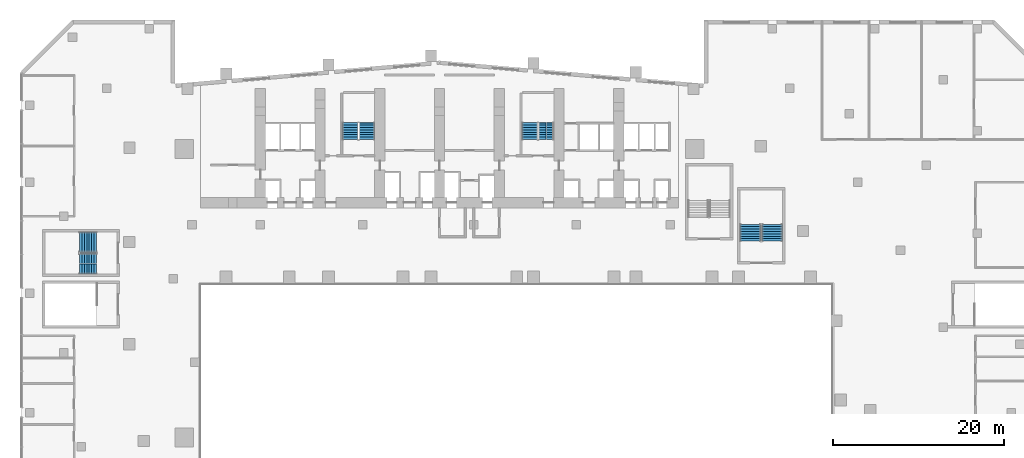
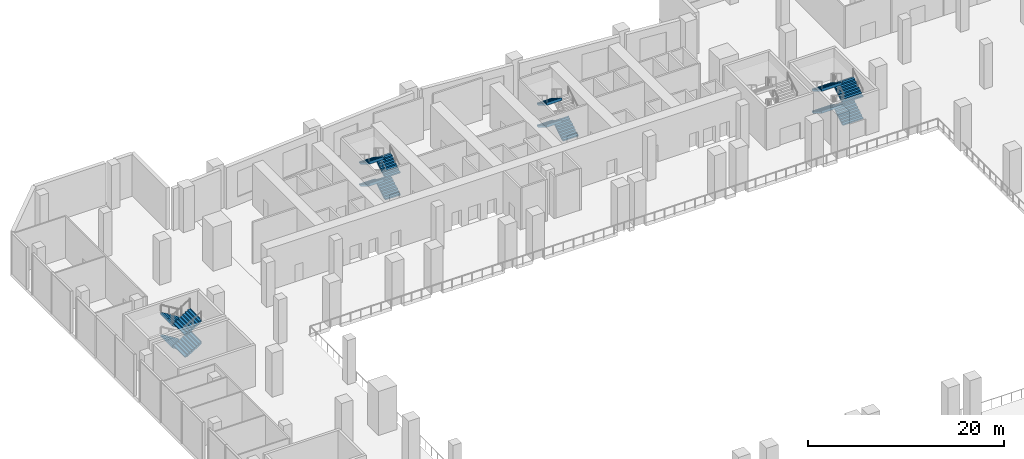
# One storey, part 18 of 25: 15 stair flights, 4 elements without a shape of their own.
"""IFC4 building model written with IfcOpenShell, lengths in metres."""

from ifc_helpers import new_model, si_unit, direction, frame, origin, place, context, subcontext, project, spatial, polyline, outline, extrude, material, type_object, element, aggregate, save


model = new_model("IFC4")

# Units and contexts
model_context = context("Model", 3, precision=1e-05, world=origin(), true_north=direction((0.0, 1.0)))
body_context = subcontext(model_context, "Body", "Model", "MODEL_VIEW")
ifc_project = project(units=[si_unit("LENGTHUNIT", "METRE"), si_unit("AREAUNIT", "SQUARE_METRE"), si_unit("VOLUMEUNIT", "CUBIC_METRE"), si_unit("PLANEANGLEUNIT", "RADIAN"), si_unit("MASSUNIT", "GRAM", prefix="KILO")], contexts=[model_context])

# Site, building, storey
site_placement = place(None, origin())
site = spatial("IfcSite", under=ifc_project, at=site_placement, CompositionType="ELEMENT")
building_placement = place(site_placement, origin())
building = spatial("IfcBuilding", under=site, at=building_placement, Name="Wharfspan Tower", CompositionType="ELEMENT")
storey_placement = place(building_placement, frame((0.0, 0.0, 27.5)))
storey = spatial("IfcBuildingStorey", under=building, at=storey_placement, Name="L04", CompositionType="ELEMENT", Elevation=27.5)

# Stair, stair flights
ifc_material = material(Name="Concrete C40/50", Category="concrete")
stair_type_1 = type_object("IfcStairType", Name="Half-turn stair 2400 wide 32 risers 172 mm", PredefinedType="HALF_TURN_STAIR", material=ifc_material)
stair_1_placement = place(storey_placement, origin())
stair_1 = element("IfcStair", 1, at=stair_1_placement, inside=storey, type_object=stair_type_1, Name="L04 stair PS3", PredefinedType="HALF_TURN_STAIR")
stair_flight_type_1 = type_object("IfcStairFlightType", Name="Stair flight 2400 wide 32 risers 172 mm", PredefinedType="STRAIGHT", material=ifc_material)
stair_flight_1_placement = place(storey_placement, frame((-3.199951, 29.975098, 0.0), z_axis=(0.0, 0.0, 1.0), x_axis=(-1.0, 0.0, 0.0)))
stair_flight_1 = element("IfcStairFlight", 2, at=stair_flight_1_placement, type_object=stair_flight_type_1, Name="PS3 flight 1", NumberOfRisers=8, NumberOfTreads=7, PredefinedType="STRAIGHT", RiserHeight=0.171875, TreadLength=0.28, context=body_context, shape_type="SweptSolid", body=[
    extrude(outline(polyline([(-0.011963, 0.0), (-0.011963, 0.171875), (0.0, 0.171875), (0.280029, 0.171875), (0.280029, 0.34375), (0.560059, 0.34375), (0.560059, 0.515625), (0.840088, 0.515625), (0.840088, 0.6875), (1.120117, 0.6875), (1.120117, 0.859375), (1.399902, 0.859375), (1.399902, 1.03125), (1.679932, 1.03125), (1.679932, 1.203125), (1.959961, 1.203125), (1.971924, 1.375), (1.971924, 1.027344), (0.286621, 0.0), (-0.011963, 0.0)])), frame((0.0, 1.199951, 0.0), z_axis=(0.0, -1.0, 0.0), x_axis=(1.0, 0.0, 0.0)), (0.0, 0.0, 1.0), 1.179443),
    extrude(outline(polyline([(-0.011963, 0.0), (-0.011963, 0.171875), (0.0, 0.171875), (0.280029, 0.171875), (0.280029, 0.34375), (0.560059, 0.34375), (0.560059, 0.515625), (0.840088, 0.515625), (0.840088, 0.6875), (1.120117, 0.6875), (1.120117, 0.859375), (1.399902, 0.859375), (1.399902, 1.03125), (1.679932, 1.03125), (1.679932, 1.203125), (1.959961, 1.203125), (1.971924, 1.375), (1.971924, 1.027344), (0.286621, 0.0), (-0.011963, 0.0)])), frame((0.0, 0.019531, 0.0), z_axis=(0.0, -1.0, 0.0), x_axis=(1.0, 0.0, 0.0)), (0.0, 0.0, 1.0), 0.019043),
    extrude(outline(polyline([(-0.011963, 0.0), (-0.011963, 0.171875), (0.0, 0.171875), (0.280029, 0.171875), (0.280029, 0.34375), (0.560059, 0.34375), (0.560059, 0.515625), (0.840088, 0.515625), (0.840088, 0.6875), (1.120117, 0.6875), (1.120117, 0.859375), (1.399902, 0.859375), (1.399902, 1.03125), (1.679932, 1.03125), (1.679932, 1.203125), (1.959961, 1.203125), (1.971924, 1.375), (1.971924, 1.027344), (0.286621, 0.0), (-0.011963, 0.0)])), frame((0.0, -0.000488, 0.0), z_axis=(0.0, -1.0, 0.0), x_axis=(1.0, 0.0, 0.0)), (0.0, 0.0, 1.0), 0.019043),
    extrude(outline(polyline([(-0.011963, 0.0), (-0.011963, 0.171875), (0.0, 0.171875), (0.280029, 0.171875), (0.280029, 0.34375), (0.560059, 0.34375), (0.560059, 0.515625), (0.840088, 0.515625), (0.840088, 0.6875), (1.120117, 0.6875), (1.120117, 0.859375), (1.399902, 0.859375), (1.399902, 1.03125), (1.679932, 1.03125), (1.679932, 1.203125), (1.959961, 1.203125), (1.971924, 1.375), (1.971924, 1.027344), (0.286621, 0.0), (-0.011963, 0.0)])), frame((0.0, -0.020508, 0.0), z_axis=(0.0, -1.0, 0.0), x_axis=(1.0, 0.0, 0.0)), (0.0, 0.0, 1.0), 1.179443),
])
stair_flight_2_placement = place(storey_placement, frame((-5.159912, 27.425049, 1.375), z_axis=(0.0, 0.0, 1.0), x_axis=(1.0, 0.0, 0.0)))
stair_flight_2 = element("IfcStairFlight", 3, at=stair_flight_2_placement, type_object=stair_flight_type_1, Name="PS3 flight 2", NumberOfRisers=8, NumberOfTreads=7, PredefinedType="STRAIGHT", RiserHeight=0.171875, TreadLength=0.28, context=body_context, shape_type="SweptSolid", body=[
    extrude(outline(polyline([(-0.011963, 0.0), (-0.011963, 0.171875), (0.0, 0.171875), (0.280029, 0.171875), (0.280029, 0.34375), (0.560059, 0.34375), (0.560059, 0.515625), (0.840088, 0.515625), (0.840088, 0.6875), (1.120117, 0.6875), (1.120117, 0.859375), (1.399902, 0.859375), (1.399902, 1.03125), (1.679932, 1.03125), (1.679932, 1.203125), (1.959961, 1.203125), (1.971924, 1.375), (1.971924, 1.027344), (0.286621, 0.0), (-0.011963, 0.0)])), frame((0.0, 1.199951, 0.0), z_axis=(0.0, -1.0, 0.0), x_axis=(1.0, 0.0, 0.0)), (0.0, 0.0, 1.0), 1.179443),
    extrude(outline(polyline([(-0.011963, 0.0), (-0.011963, 0.171875), (0.0, 0.171875), (0.280029, 0.171875), (0.280029, 0.34375), (0.560059, 0.34375), (0.560059, 0.515625), (0.840088, 0.515625), (0.840088, 0.6875), (1.120117, 0.6875), (1.120117, 0.859375), (1.399902, 0.859375), (1.399902, 1.03125), (1.679932, 1.03125), (1.679932, 1.203125), (1.959961, 1.203125), (1.971924, 1.375), (1.971924, 1.027344), (0.286621, 0.0), (-0.011963, 0.0)])), frame((0.0, 0.019531, 0.0), z_axis=(0.0, -1.0, 0.0), x_axis=(1.0, 0.0, 0.0)), (0.0, 0.0, 1.0), 0.019043),
    extrude(outline(polyline([(-0.011963, 0.0), (-0.011963, 0.171875), (0.0, 0.171875), (0.280029, 0.171875), (0.280029, 0.34375), (0.560059, 0.34375), (0.560059, 0.515625), (0.840088, 0.515625), (0.840088, 0.6875), (1.120117, 0.6875), (1.120117, 0.859375), (1.399902, 0.859375), (1.399902, 1.03125), (1.679932, 1.03125), (1.679932, 1.203125), (1.959961, 1.203125), (1.971924, 1.375), (1.971924, 1.027344), (0.286621, 0.0), (-0.011963, 0.0)])), frame((0.0, -0.000488, 0.0), z_axis=(0.0, -1.0, 0.0), x_axis=(1.0, 0.0, 0.0)), (0.0, 0.0, 1.0), 0.019043),
    extrude(outline(polyline([(-0.011963, 0.0), (-0.011963, 0.171875), (0.0, 0.171875), (0.280029, 0.171875), (0.280029, 0.34375), (0.560059, 0.34375), (0.560059, 0.515625), (0.840088, 0.515625), (0.840088, 0.6875), (1.120117, 0.6875), (1.120117, 0.859375), (1.399902, 0.859375), (1.399902, 1.03125), (1.679932, 1.03125), (1.679932, 1.203125), (1.959961, 1.203125), (1.971924, 1.375), (1.971924, 1.027344), (0.286621, 0.0), (-0.011963, 0.0)])), frame((0.0, -0.020508, 0.0), z_axis=(0.0, -1.0, 0.0), x_axis=(1.0, 0.0, 0.0)), (0.0, 0.0, 1.0), 1.179443),
])
stair_flight_3_placement = place(storey_placement, frame((-3.199951, 29.975098, 2.75), z_axis=(0.0, 0.0, 1.0), x_axis=(-1.0, 0.0, 0.0)))
stair_flight_3 = element("IfcStairFlight", 4, at=stair_flight_3_placement, type_object=stair_flight_type_1, Name="PS3 flight 3", NumberOfRisers=8, NumberOfTreads=7, PredefinedType="STRAIGHT", RiserHeight=0.171875, TreadLength=0.28, context=body_context, shape_type="SweptSolid", body=[
    extrude(outline(polyline([(-0.011963, 0.0), (-0.011963, 0.171875), (0.0, 0.171875), (0.280029, 0.171875), (0.280029, 0.34375), (0.560059, 0.34375), (0.560059, 0.515625), (0.840088, 0.515625), (0.840088, 0.6875), (1.120117, 0.6875), (1.120117, 0.859375), (1.399902, 0.859375), (1.399902, 1.03125), (1.679932, 1.03125), (1.679932, 1.203125), (1.959961, 1.203125), (1.971924, 1.375), (1.971924, 1.027344), (0.286621, 0.0), (-0.011963, 0.0)])), frame((0.0, 1.199951, 0.0), z_axis=(0.0, -1.0, 0.0), x_axis=(1.0, 0.0, 0.0)), (0.0, 0.0, 1.0), 1.179443),
    extrude(outline(polyline([(-0.011963, 0.0), (-0.011963, 0.171875), (0.0, 0.171875), (0.280029, 0.171875), (0.280029, 0.34375), (0.560059, 0.34375), (0.560059, 0.515625), (0.840088, 0.515625), (0.840088, 0.6875), (1.120117, 0.6875), (1.120117, 0.859375), (1.399902, 0.859375), (1.399902, 1.03125), (1.679932, 1.03125), (1.679932, 1.203125), (1.959961, 1.203125), (1.971924, 1.375), (1.971924, 1.027344), (0.286621, 0.0), (-0.011963, 0.0)])), frame((0.0, 0.019531, 0.0), z_axis=(0.0, -1.0, 0.0), x_axis=(1.0, 0.0, 0.0)), (0.0, 0.0, 1.0), 0.019043),
    extrude(outline(polyline([(-0.011963, 0.0), (-0.011963, 0.171875), (0.0, 0.171875), (0.280029, 0.171875), (0.280029, 0.34375), (0.560059, 0.34375), (0.560059, 0.515625), (0.840088, 0.515625), (0.840088, 0.6875), (1.120117, 0.6875), (1.120117, 0.859375), (1.399902, 0.859375), (1.399902, 1.03125), (1.679932, 1.03125), (1.679932, 1.203125), (1.959961, 1.203125), (1.971924, 1.375), (1.971924, 1.027344), (0.286621, 0.0), (-0.011963, 0.0)])), frame((0.0, -0.000488, 0.0), z_axis=(0.0, -1.0, 0.0), x_axis=(1.0, 0.0, 0.0)), (0.0, 0.0, 1.0), 0.019043),
    extrude(outline(polyline([(-0.011963, 0.0), (-0.011963, 0.171875), (0.0, 0.171875), (0.280029, 0.171875), (0.280029, 0.34375), (0.560059, 0.34375), (0.560059, 0.515625), (0.840088, 0.515625), (0.840088, 0.6875), (1.120117, 0.6875), (1.120117, 0.859375), (1.399902, 0.859375), (1.399902, 1.03125), (1.679932, 1.03125), (1.679932, 1.203125), (1.959961, 1.203125), (1.971924, 1.375), (1.971924, 1.027344), (0.286621, 0.0), (-0.011963, 0.0)])), frame((0.0, -0.020508, 0.0), z_axis=(0.0, -1.0, 0.0), x_axis=(1.0, 0.0, 0.0)), (0.0, 0.0, 1.0), 1.179443),
])
stair_flight_4_placement = place(storey_placement, frame((-5.159912, 27.425049, 4.125), z_axis=(0.0, 0.0, 1.0), x_axis=(1.0, 0.0, 0.0)))
stair_flight_4 = element("IfcStairFlight", 5, at=stair_flight_4_placement, type_object=stair_flight_type_1, Name="PS3 flight 4", NumberOfRisers=8, NumberOfTreads=7, PredefinedType="STRAIGHT", RiserHeight=0.171875, TreadLength=0.28, context=body_context, shape_type="SweptSolid", body=[
    extrude(outline(polyline([(-0.011963, 0.0), (-0.011963, 0.171875), (0.0, 0.171875), (0.280029, 0.171875), (0.280029, 0.34375), (0.560059, 0.34375), (0.560059, 0.515625), (0.840088, 0.515625), (0.840088, 0.6875), (1.120117, 0.6875), (1.120117, 0.859375), (1.399902, 0.859375), (1.399902, 1.03125), (1.679932, 1.03125), (1.679932, 1.203125), (1.959961, 1.203125), (1.971924, 1.375), (1.971924, 1.027344), (0.286621, 0.0), (-0.011963, 0.0)])), frame((0.0, 1.199951, 0.0), z_axis=(0.0, -1.0, 0.0), x_axis=(1.0, 0.0, 0.0)), (0.0, 0.0, 1.0), 1.179443),
    extrude(outline(polyline([(-0.011963, 0.0), (-0.011963, 0.171875), (0.0, 0.171875), (0.280029, 0.171875), (0.280029, 0.34375), (0.560059, 0.34375), (0.560059, 0.515625), (0.840088, 0.515625), (0.840088, 0.6875), (1.120117, 0.6875), (1.120117, 0.859375), (1.399902, 0.859375), (1.399902, 1.03125), (1.679932, 1.03125), (1.679932, 1.203125), (1.959961, 1.203125), (1.971924, 1.375), (1.971924, 1.027344), (0.286621, 0.0), (-0.011963, 0.0)])), frame((0.0, 0.019531, 0.0), z_axis=(0.0, -1.0, 0.0), x_axis=(1.0, 0.0, 0.0)), (0.0, 0.0, 1.0), 0.019043),
    extrude(outline(polyline([(-0.011963, 0.0), (-0.011963, 0.171875), (0.0, 0.171875), (0.280029, 0.171875), (0.280029, 0.34375), (0.560059, 0.34375), (0.560059, 0.515625), (0.840088, 0.515625), (0.840088, 0.6875), (1.120117, 0.6875), (1.120117, 0.859375), (1.399902, 0.859375), (1.399902, 1.03125), (1.679932, 1.03125), (1.679932, 1.203125), (1.959961, 1.203125), (1.971924, 1.375), (1.971924, 1.027344), (0.286621, 0.0), (-0.011963, 0.0)])), frame((0.0, -0.000488, 0.0), z_axis=(0.0, -1.0, 0.0), x_axis=(1.0, 0.0, 0.0)), (0.0, 0.0, 1.0), 0.019043),
    extrude(outline(polyline([(-0.011963, 0.0), (-0.011963, 0.171875), (0.0, 0.171875), (0.280029, 0.171875), (0.280029, 0.34375), (0.560059, 0.34375), (0.560059, 0.515625), (0.840088, 0.515625), (0.840088, 0.6875), (1.120117, 0.6875), (1.120117, 0.859375), (1.399902, 0.859375), (1.399902, 1.03125), (1.679932, 1.03125), (1.679932, 1.203125), (1.959961, 1.203125), (1.971924, 1.375), (1.971924, 1.027344), (0.286621, 0.0), (-0.011963, 0.0)])), frame((0.0, -0.020508, 0.0), z_axis=(0.0, -1.0, 0.0), x_axis=(1.0, 0.0, 0.0)), (0.0, 0.0, 1.0), 1.179443),
])
aggregate(stair_1, [stair_flight_1, stair_flight_2, stair_flight_3, stair_flight_4])

stair_2_placement = place(storey_placement, origin())
stair_2 = element("IfcStair", 6, at=stair_2_placement, inside=storey, type_object=stair_type_1, Name="L04 stair PS5", PredefinedType="HALF_TURN_STAIR")
stair_flight_5_placement = place(storey_placement, frame((75.967529, 30.100098, 0.0), z_axis=(0.0, 0.0, 1.0), x_axis=(0.0, 1.0, 0.0)))
stair_flight_5 = element("IfcStairFlight", 7, at=stair_flight_5_placement, type_object=stair_flight_type_1, Name="PS5 flight 1", NumberOfRisers=8, NumberOfTreads=7, PredefinedType="STRAIGHT", RiserHeight=0.171875, TreadLength=0.28, context=body_context, shape_type="SweptSolid", body=[
    extrude(outline(polyline([(-0.011963, 0.0), (-0.011963, 0.171875), (0.0, 0.171875), (0.280029, 0.171875), (0.280029, 0.34375), (0.560059, 0.34375), (0.560059, 0.515625), (0.840088, 0.515625), (0.840088, 0.6875), (1.120117, 0.6875), (1.120117, 0.859375), (1.399902, 0.859375), (1.399902, 1.03125), (1.679932, 1.03125), (1.679932, 1.203125), (1.959961, 1.203125), (1.971924, 1.375), (1.971924, 1.027344), (0.286621, 0.0), (-0.011963, 0.0)])), frame((0.0, 1.199951, 0.0), z_axis=(0.0, -1.0, 0.0), x_axis=(1.0, 0.0, 0.0)), (0.0, 0.0, 1.0), 1.179443),
    extrude(outline(polyline([(-0.011963, 0.0), (-0.011963, 0.171875), (0.0, 0.171875), (0.280029, 0.171875), (0.280029, 0.34375), (0.560059, 0.34375), (0.560059, 0.515625), (0.840088, 0.515625), (0.840088, 0.6875), (1.120117, 0.6875), (1.120117, 0.859375), (1.399902, 0.859375), (1.399902, 1.03125), (1.679932, 1.03125), (1.679932, 1.203125), (1.959961, 1.203125), (1.971924, 1.375), (1.971924, 1.027344), (0.286621, 0.0), (-0.011963, 0.0)])), frame((0.0, 0.019531, 0.0), z_axis=(0.0, -1.0, 0.0), x_axis=(1.0, 0.0, 0.0)), (0.0, 0.0, 1.0), 0.019043),
    extrude(outline(polyline([(-0.011963, 0.0), (-0.011963, 0.171875), (0.0, 0.171875), (0.280029, 0.171875), (0.280029, 0.34375), (0.560059, 0.34375), (0.560059, 0.515625), (0.840088, 0.515625), (0.840088, 0.6875), (1.120117, 0.6875), (1.120117, 0.859375), (1.399902, 0.859375), (1.399902, 1.03125), (1.679932, 1.03125), (1.679932, 1.203125), (1.959961, 1.203125), (1.971924, 1.375), (1.971924, 1.027344), (0.286621, 0.0), (-0.011963, 0.0)])), frame((0.0, -0.000488, 0.0), z_axis=(0.0, -1.0, 0.0), x_axis=(1.0, 0.0, 0.0)), (0.0, 0.0, 1.0), 0.019043),
    extrude(outline(polyline([(-0.011963, 0.0), (-0.011963, 0.171875), (0.0, 0.171875), (0.280029, 0.171875), (0.280029, 0.34375), (0.560059, 0.34375), (0.560059, 0.515625), (0.840088, 0.515625), (0.840088, 0.6875), (1.120117, 0.6875), (1.120117, 0.859375), (1.399902, 0.859375), (1.399902, 1.03125), (1.679932, 1.03125), (1.679932, 1.203125), (1.959961, 1.203125), (1.971924, 1.375), (1.971924, 1.027344), (0.286621, 0.0), (-0.011963, 0.0)])), frame((0.0, -0.020508, 0.0), z_axis=(0.0, -1.0, 0.0), x_axis=(1.0, 0.0, 0.0)), (0.0, 0.0, 1.0), 1.179443),
])
stair_flight_6_placement = place(storey_placement, frame((73.41748, 32.060059, 1.375), z_axis=(0.0, 0.0, 1.0), x_axis=(0.0, -1.0, 0.0)))
stair_flight_6 = element("IfcStairFlight", 8, at=stair_flight_6_placement, type_object=stair_flight_type_1, Name="PS5 flight 2", NumberOfRisers=8, NumberOfTreads=7, PredefinedType="STRAIGHT", RiserHeight=0.171875, TreadLength=0.28, context=body_context, shape_type="SweptSolid", body=[
    extrude(outline(polyline([(-0.011963, 0.0), (-0.011963, 0.171875), (0.0, 0.171875), (0.280029, 0.171875), (0.280029, 0.34375), (0.560059, 0.34375), (0.560059, 0.515625), (0.840088, 0.515625), (0.840088, 0.6875), (1.120117, 0.6875), (1.120117, 0.859375), (1.399902, 0.859375), (1.399902, 1.03125), (1.679932, 1.03125), (1.679932, 1.203125), (1.959961, 1.203125), (1.971924, 1.375), (1.971924, 1.027344), (0.286621, 0.0), (-0.011963, 0.0)])), frame((0.0, 1.199951, 0.0), z_axis=(0.0, -1.0, 0.0), x_axis=(1.0, 0.0, 0.0)), (0.0, 0.0, 1.0), 1.179443),
    extrude(outline(polyline([(-0.011963, 0.0), (-0.011963, 0.171875), (0.0, 0.171875), (0.280029, 0.171875), (0.280029, 0.34375), (0.560059, 0.34375), (0.560059, 0.515625), (0.840088, 0.515625), (0.840088, 0.6875), (1.120117, 0.6875), (1.120117, 0.859375), (1.399902, 0.859375), (1.399902, 1.03125), (1.679932, 1.03125), (1.679932, 1.203125), (1.959961, 1.203125), (1.971924, 1.375), (1.971924, 1.027344), (0.286621, 0.0), (-0.011963, 0.0)])), frame((0.0, 0.019531, 0.0), z_axis=(0.0, -1.0, 0.0), x_axis=(1.0, 0.0, 0.0)), (0.0, 0.0, 1.0), 0.019043),
    extrude(outline(polyline([(-0.011963, 0.0), (-0.011963, 0.171875), (0.0, 0.171875), (0.280029, 0.171875), (0.280029, 0.34375), (0.560059, 0.34375), (0.560059, 0.515625), (0.840088, 0.515625), (0.840088, 0.6875), (1.120117, 0.6875), (1.120117, 0.859375), (1.399902, 0.859375), (1.399902, 1.03125), (1.679932, 1.03125), (1.679932, 1.203125), (1.959961, 1.203125), (1.971924, 1.375), (1.971924, 1.027344), (0.286621, 0.0), (-0.011963, 0.0)])), frame((0.0, -0.000488, 0.0), z_axis=(0.0, -1.0, 0.0), x_axis=(1.0, 0.0, 0.0)), (0.0, 0.0, 1.0), 0.019043),
    extrude(outline(polyline([(-0.011963, 0.0), (-0.011963, 0.171875), (0.0, 0.171875), (0.280029, 0.171875), (0.280029, 0.34375), (0.560059, 0.34375), (0.560059, 0.515625), (0.840088, 0.515625), (0.840088, 0.6875), (1.120117, 0.6875), (1.120117, 0.859375), (1.399902, 0.859375), (1.399902, 1.03125), (1.679932, 1.03125), (1.679932, 1.203125), (1.959961, 1.203125), (1.971924, 1.375), (1.971924, 1.027344), (0.286621, 0.0), (-0.011963, 0.0)])), frame((0.0, -0.020508, 0.0), z_axis=(0.0, -1.0, 0.0), x_axis=(1.0, 0.0, 0.0)), (0.0, 0.0, 1.0), 1.179443),
])
stair_flight_7_placement = place(storey_placement, frame((75.967529, 30.100098, 2.75), z_axis=(0.0, 0.0, 1.0), x_axis=(0.0, 1.0, 0.0)))
stair_flight_7 = element("IfcStairFlight", 9, at=stair_flight_7_placement, type_object=stair_flight_type_1, Name="PS5 flight 3", NumberOfRisers=8, NumberOfTreads=7, PredefinedType="STRAIGHT", RiserHeight=0.171875, TreadLength=0.28, context=body_context, shape_type="SweptSolid", body=[
    extrude(outline(polyline([(-0.011963, 0.0), (-0.011963, 0.171875), (0.0, 0.171875), (0.280029, 0.171875), (0.280029, 0.34375), (0.560059, 0.34375), (0.560059, 0.515625), (0.840088, 0.515625), (0.840088, 0.6875), (1.120117, 0.6875), (1.120117, 0.859375), (1.399902, 0.859375), (1.399902, 1.03125), (1.679932, 1.03125), (1.679932, 1.203125), (1.959961, 1.203125), (1.971924, 1.375), (1.971924, 1.027344), (0.286621, 0.0), (-0.011963, 0.0)])), frame((0.0, 1.199951, 0.0), z_axis=(0.0, -1.0, 0.0), x_axis=(1.0, 0.0, 0.0)), (0.0, 0.0, 1.0), 1.179443),
    extrude(outline(polyline([(-0.011963, 0.0), (-0.011963, 0.171875), (0.0, 0.171875), (0.280029, 0.171875), (0.280029, 0.34375), (0.560059, 0.34375), (0.560059, 0.515625), (0.840088, 0.515625), (0.840088, 0.6875), (1.120117, 0.6875), (1.120117, 0.859375), (1.399902, 0.859375), (1.399902, 1.03125), (1.679932, 1.03125), (1.679932, 1.203125), (1.959961, 1.203125), (1.971924, 1.375), (1.971924, 1.027344), (0.286621, 0.0), (-0.011963, 0.0)])), frame((0.0, 0.019531, 0.0), z_axis=(0.0, -1.0, 0.0), x_axis=(1.0, 0.0, 0.0)), (0.0, 0.0, 1.0), 0.019043),
    extrude(outline(polyline([(-0.011963, 0.0), (-0.011963, 0.171875), (0.0, 0.171875), (0.280029, 0.171875), (0.280029, 0.34375), (0.560059, 0.34375), (0.560059, 0.515625), (0.840088, 0.515625), (0.840088, 0.6875), (1.120117, 0.6875), (1.120117, 0.859375), (1.399902, 0.859375), (1.399902, 1.03125), (1.679932, 1.03125), (1.679932, 1.203125), (1.959961, 1.203125), (1.971924, 1.375), (1.971924, 1.027344), (0.286621, 0.0), (-0.011963, 0.0)])), frame((0.0, -0.000488, 0.0), z_axis=(0.0, -1.0, 0.0), x_axis=(1.0, 0.0, 0.0)), (0.0, 0.0, 1.0), 0.019043),
    extrude(outline(polyline([(-0.011963, 0.0), (-0.011963, 0.171875), (0.0, 0.171875), (0.280029, 0.171875), (0.280029, 0.34375), (0.560059, 0.34375), (0.560059, 0.515625), (0.840088, 0.515625), (0.840088, 0.6875), (1.120117, 0.6875), (1.120117, 0.859375), (1.399902, 0.859375), (1.399902, 1.03125), (1.679932, 1.03125), (1.679932, 1.203125), (1.959961, 1.203125), (1.971924, 1.375), (1.971924, 1.027344), (0.286621, 0.0), (-0.011963, 0.0)])), frame((0.0, -0.020508, 0.0), z_axis=(0.0, -1.0, 0.0), x_axis=(1.0, 0.0, 0.0)), (0.0, 0.0, 1.0), 1.179443),
])
stair_flight_8_placement = place(storey_placement, frame((73.41748, 32.060059, 4.125), z_axis=(0.0, 0.0, 1.0), x_axis=(0.0, -1.0, 0.0)))
stair_flight_8 = element("IfcStairFlight", 10, at=stair_flight_8_placement, type_object=stair_flight_type_1, Name="PS5 flight 4", NumberOfRisers=8, NumberOfTreads=7, PredefinedType="STRAIGHT", RiserHeight=0.171875, TreadLength=0.28, context=body_context, shape_type="SweptSolid", body=[
    extrude(outline(polyline([(-0.011963, 0.0), (-0.011963, 0.171875), (0.0, 0.171875), (0.280029, 0.171875), (0.280029, 0.34375), (0.560059, 0.34375), (0.560059, 0.515625), (0.840088, 0.515625), (0.840088, 0.6875), (1.120117, 0.6875), (1.120117, 0.859375), (1.399902, 0.859375), (1.399902, 1.03125), (1.679932, 1.03125), (1.679932, 1.203125), (1.959961, 1.203125), (1.971924, 1.375), (1.971924, 1.027344), (0.286621, 0.0), (-0.011963, 0.0)])), frame((0.0, 1.199951, 0.0), z_axis=(0.0, -1.0, 0.0), x_axis=(1.0, 0.0, 0.0)), (0.0, 0.0, 1.0), 1.179443),
    extrude(outline(polyline([(-0.011963, 0.0), (-0.011963, 0.171875), (0.0, 0.171875), (0.280029, 0.171875), (0.280029, 0.34375), (0.560059, 0.34375), (0.560059, 0.515625), (0.840088, 0.515625), (0.840088, 0.6875), (1.120117, 0.6875), (1.120117, 0.859375), (1.399902, 0.859375), (1.399902, 1.03125), (1.679932, 1.03125), (1.679932, 1.203125), (1.959961, 1.203125), (1.971924, 1.375), (1.971924, 1.027344), (0.286621, 0.0), (-0.011963, 0.0)])), frame((0.0, 0.019531, 0.0), z_axis=(0.0, -1.0, 0.0), x_axis=(1.0, 0.0, 0.0)), (0.0, 0.0, 1.0), 0.019043),
    extrude(outline(polyline([(-0.011963, 0.0), (-0.011963, 0.171875), (0.0, 0.171875), (0.280029, 0.171875), (0.280029, 0.34375), (0.560059, 0.34375), (0.560059, 0.515625), (0.840088, 0.515625), (0.840088, 0.6875), (1.120117, 0.6875), (1.120117, 0.859375), (1.399902, 0.859375), (1.399902, 1.03125), (1.679932, 1.03125), (1.679932, 1.203125), (1.959961, 1.203125), (1.971924, 1.375), (1.971924, 1.027344), (0.286621, 0.0), (-0.011963, 0.0)])), frame((0.0, -0.000488, 0.0), z_axis=(0.0, -1.0, 0.0), x_axis=(1.0, 0.0, 0.0)), (0.0, 0.0, 1.0), 0.019043),
    extrude(outline(polyline([(-0.011963, 0.0), (-0.011963, 0.171875), (0.0, 0.171875), (0.280029, 0.171875), (0.280029, 0.34375), (0.560059, 0.34375), (0.560059, 0.515625), (0.840088, 0.515625), (0.840088, 0.6875), (1.120117, 0.6875), (1.120117, 0.859375), (1.399902, 0.859375), (1.399902, 1.03125), (1.679932, 1.03125), (1.679932, 1.203125), (1.959961, 1.203125), (1.971924, 1.375), (1.971924, 1.027344), (0.286621, 0.0), (-0.011963, 0.0)])), frame((0.0, -0.020508, 0.0), z_axis=(0.0, -1.0, 0.0), x_axis=(1.0, 0.0, 0.0)), (0.0, 0.0, 1.0), 1.179443),
])
aggregate(stair_2, [stair_flight_5, stair_flight_6, stair_flight_7, stair_flight_8])

stair_type_2 = type_object("IfcStairType", Name="Half-turn stair 32 risers 172 mm", PredefinedType="HALF_TURN_STAIR", material=ifc_material)
stair_3_placement = place(storey_placement, origin())
stair_3 = element("IfcStair", 11, at=stair_3_placement, inside=storey, type_object=stair_type_2, Name="L04 stair ST1", PredefinedType="HALF_TURN_STAIR")
stair_flight_type_2 = type_object("IfcStairFlightType", Name="Stair flight 32 risers 172 mm", PredefinedType="STRAIGHT", material=ifc_material)
stair_flight_9_placement = place(storey_placement, frame((28.5, 42.0, 0.0), z_axis=(0.0, 0.0, 1.0), x_axis=(0.0, 1.0, 0.0)))
stair_flight_9 = element("IfcStairFlight", 12, at=stair_flight_9_placement, type_object=stair_flight_type_2, Name="ST1 flight 1", NumberOfRisers=8, NumberOfTreads=7, PredefinedType="STRAIGHT", RiserHeight=0.171875, TreadLength=0.28, context=body_context, shape_type="SweptSolid", body=[
    extrude(outline(polyline([(-0.011963, 0.0), (-0.011963, 0.171875), (0.0, 0.171875), (0.280029, 0.171875), (0.280029, 0.34375), (0.560059, 0.34375), (0.560059, 0.515625), (0.840088, 0.515625), (0.840088, 0.6875), (1.120117, 0.6875), (1.120117, 0.859375), (1.399902, 0.859375), (1.399902, 1.03125), (1.679932, 1.03125), (1.679932, 1.203125), (1.959961, 1.203125), (1.971924, 1.375), (1.971924, 1.027344), (0.286621, 0.0), (-0.011963, 0.0)])), frame((0.0, 0.899902, 0.0), z_axis=(0.0, -1.0, 0.0), x_axis=(1.0, 0.0, 0.0)), (0.0, 0.0, 1.0), 0.899414),
    extrude(outline(polyline([(-0.011963, 0.0), (-0.011963, 0.171875), (0.0, 0.171875), (0.280029, 0.171875), (0.280029, 0.34375), (0.560059, 0.34375), (0.560059, 0.515625), (0.840088, 0.515625), (0.840088, 0.6875), (1.120117, 0.6875), (1.120117, 0.859375), (1.399902, 0.859375), (1.399902, 1.03125), (1.679932, 1.03125), (1.679932, 1.203125), (1.959961, 1.203125), (1.971924, 1.375), (1.971924, 1.027344), (0.286621, 0.0), (-0.011963, 0.0)])), frame((0.0, -0.000488, 0.0), z_axis=(0.0, -1.0, 0.0), x_axis=(1.0, 0.0, 0.0)), (0.0, 0.0, 1.0), 0.899414),
])
stair_flight_10_placement = place(storey_placement, frame((26.550049, 43.959961, 1.375), z_axis=(0.0, 0.0, 1.0), x_axis=(0.0, -1.0, 0.0)))
stair_flight_10 = element("IfcStairFlight", 13, at=stair_flight_10_placement, type_object=stair_flight_type_2, Name="ST1 flight 2", NumberOfRisers=8, NumberOfTreads=7, PredefinedType="STRAIGHT", RiserHeight=0.171875, TreadLength=0.28, context=body_context, shape_type="SweptSolid", body=[
    extrude(outline(polyline([(-0.011963, 0.0), (-0.011963, 0.171875), (0.0, 0.171875), (0.280029, 0.171875), (0.280029, 0.34375), (0.560059, 0.34375), (0.560059, 0.515625), (0.840088, 0.515625), (0.840088, 0.6875), (1.120117, 0.6875), (1.120117, 0.859375), (1.399902, 0.859375), (1.399902, 1.03125), (1.679932, 1.03125), (1.679932, 1.203125), (1.959961, 1.203125), (1.971924, 1.375), (1.971924, 1.027344), (0.286621, 0.0), (-0.011963, 0.0)])), frame((0.0, 0.899902, 0.0), z_axis=(0.0, -1.0, 0.0), x_axis=(1.0, 0.0, 0.0)), (0.0, 0.0, 1.0), 0.899414),
    extrude(outline(polyline([(-0.011963, 0.0), (-0.011963, 0.171875), (0.0, 0.171875), (0.280029, 0.171875), (0.280029, 0.34375), (0.560059, 0.34375), (0.560059, 0.515625), (0.840088, 0.515625), (0.840088, 0.6875), (1.120117, 0.6875), (1.120117, 0.859375), (1.399902, 0.859375), (1.399902, 1.03125), (1.679932, 1.03125), (1.679932, 1.203125), (1.959961, 1.203125), (1.971924, 1.375), (1.971924, 1.027344), (0.286621, 0.0), (-0.011963, 0.0)])), frame((0.0, -0.000488, 0.0), z_axis=(0.0, -1.0, 0.0), x_axis=(1.0, 0.0, 0.0)), (0.0, 0.0, 1.0), 0.899414),
])
stair_flight_11_placement = place(storey_placement, frame((28.5, 42.0, 2.75), z_axis=(0.0, 0.0, 1.0), x_axis=(0.0, 1.0, 0.0)))
stair_flight_11 = element("IfcStairFlight", 14, at=stair_flight_11_placement, type_object=stair_flight_type_2, Name="ST1 flight 3", NumberOfRisers=8, NumberOfTreads=7, PredefinedType="STRAIGHT", RiserHeight=0.171875, TreadLength=0.28, context=body_context, shape_type="SweptSolid", body=[
    extrude(outline(polyline([(-0.011963, 0.0), (-0.011963, 0.171875), (0.0, 0.171875), (0.280029, 0.171875), (0.280029, 0.34375), (0.560059, 0.34375), (0.560059, 0.515625), (0.840088, 0.515625), (0.840088, 0.6875), (1.120117, 0.6875), (1.120117, 0.859375), (1.399902, 0.859375), (1.399902, 1.03125), (1.679932, 1.03125), (1.679932, 1.203125), (1.959961, 1.203125), (1.971924, 1.375), (1.971924, 1.027344), (0.286621, 0.0), (-0.011963, 0.0)])), frame((0.0, 0.899902, 0.0), z_axis=(0.0, -1.0, 0.0), x_axis=(1.0, 0.0, 0.0)), (0.0, 0.0, 1.0), 0.899414),
    extrude(outline(polyline([(-0.011963, 0.0), (-0.011963, 0.171875), (0.0, 0.171875), (0.280029, 0.171875), (0.280029, 0.34375), (0.560059, 0.34375), (0.560059, 0.515625), (0.840088, 0.515625), (0.840088, 0.6875), (1.120117, 0.6875), (1.120117, 0.859375), (1.399902, 0.859375), (1.399902, 1.03125), (1.679932, 1.03125), (1.679932, 1.203125), (1.959961, 1.203125), (1.971924, 1.375), (1.971924, 1.027344), (0.286621, 0.0), (-0.011963, 0.0)])), frame((0.0, -0.000488, 0.0), z_axis=(0.0, -1.0, 0.0), x_axis=(1.0, 0.0, 0.0)), (0.0, 0.0, 1.0), 0.899414),
])
stair_flight_12_placement = place(storey_placement, frame((26.550049, 43.959961, 4.125), z_axis=(0.0, 0.0, 1.0), x_axis=(0.0, -1.0, 0.0)))
stair_flight_12 = element("IfcStairFlight", 15, at=stair_flight_12_placement, type_object=stair_flight_type_2, Name="ST1 flight 4", NumberOfRisers=8, NumberOfTreads=7, PredefinedType="STRAIGHT", RiserHeight=0.171875, TreadLength=0.28, context=body_context, shape_type="SweptSolid", body=[
    extrude(outline(polyline([(-0.011963, 0.0), (-0.011963, 0.171875), (0.0, 0.171875), (0.280029, 0.171875), (0.280029, 0.34375), (0.560059, 0.34375), (0.560059, 0.515625), (0.840088, 0.515625), (0.840088, 0.6875), (1.120117, 0.6875), (1.120117, 0.859375), (1.399902, 0.859375), (1.399902, 1.03125), (1.679932, 1.03125), (1.679932, 1.203125), (1.959961, 1.203125), (1.971924, 1.375), (1.971924, 1.027344), (0.286621, 0.0), (-0.011963, 0.0)])), frame((0.0, 0.899902, 0.0), z_axis=(0.0, -1.0, 0.0), x_axis=(1.0, 0.0, 0.0)), (0.0, 0.0, 1.0), 0.899414),
    extrude(outline(polyline([(-0.011963, 0.0), (-0.011963, 0.171875), (0.0, 0.171875), (0.280029, 0.171875), (0.280029, 0.34375), (0.560059, 0.34375), (0.560059, 0.515625), (0.840088, 0.515625), (0.840088, 0.6875), (1.120117, 0.6875), (1.120117, 0.859375), (1.399902, 0.859375), (1.399902, 1.03125), (1.679932, 1.03125), (1.679932, 1.203125), (1.959961, 1.203125), (1.971924, 1.375), (1.971924, 1.027344), (0.286621, 0.0), (-0.011963, 0.0)])), frame((0.0, -0.000488, 0.0), z_axis=(0.0, -1.0, 0.0), x_axis=(1.0, 0.0, 0.0)), (0.0, 0.0, 1.0), 0.899414),
])
aggregate(stair_3, [stair_flight_9, stair_flight_10, stair_flight_11, stair_flight_12])

stair_4_placement = place(storey_placement, origin())
stair_4 = element("IfcStair", 16, at=stair_4_placement, inside=storey, type_object=stair_type_2, Name="L04 stair ST2", PredefinedType="HALF_TURN_STAIR")
stair_flight_13_placement = place(storey_placement, frame((49.5, 42.0, 0.0), z_axis=(0.0, 0.0, 1.0), x_axis=(0.0, 1.0, 0.0)))
stair_flight_13 = element("IfcStairFlight", 17, at=stair_flight_13_placement, type_object=stair_flight_type_2, Name="ST2 flight 1", NumberOfRisers=8, NumberOfTreads=7, PredefinedType="STRAIGHT", RiserHeight=0.171875, TreadLength=0.28, context=body_context, shape_type="SweptSolid", body=[
    extrude(outline(polyline([(-0.011963, 0.0), (-0.011963, 0.171875), (0.0, 0.171875), (0.280029, 0.171875), (0.280029, 0.34375), (0.560059, 0.34375), (0.560059, 0.515625), (0.840088, 0.515625), (0.840088, 0.6875), (1.120117, 0.6875), (1.120117, 0.859375), (1.399902, 0.859375), (1.399902, 1.03125), (1.679932, 1.03125), (1.679932, 1.203125), (1.959961, 1.203125), (1.971924, 1.375), (1.971924, 1.027344), (0.286621, 0.0), (-0.011963, 0.0)])), frame((0.0, 0.899902, 0.0), z_axis=(0.0, -1.0, 0.0), x_axis=(1.0, 0.0, 0.0)), (0.0, 0.0, 1.0), 0.899414),
    extrude(outline(polyline([(-0.011963, 0.0), (-0.011963, 0.171875), (0.0, 0.171875), (0.280029, 0.171875), (0.280029, 0.34375), (0.560059, 0.34375), (0.560059, 0.515625), (0.840088, 0.515625), (0.840088, 0.6875), (1.120117, 0.6875), (1.120117, 0.859375), (1.399902, 0.859375), (1.399902, 1.03125), (1.679932, 1.03125), (1.679932, 1.203125), (1.959961, 1.203125), (1.971924, 1.375), (1.971924, 1.027344), (0.286621, 0.0), (-0.011963, 0.0)])), frame((0.0, -0.000488, 0.0), z_axis=(0.0, -1.0, 0.0), x_axis=(1.0, 0.0, 0.0)), (0.0, 0.0, 1.0), 0.899414),
])
stair_flight_14_placement = place(storey_placement, frame((47.550049, 43.959961, 1.375), z_axis=(0.0, 0.0, 1.0), x_axis=(0.0, -1.0, 0.0)))
stair_flight_14 = element("IfcStairFlight", 18, at=stair_flight_14_placement, type_object=stair_flight_type_2, Name="ST2 flight 2", NumberOfRisers=8, NumberOfTreads=7, PredefinedType="STRAIGHT", RiserHeight=0.171875, TreadLength=0.28, context=body_context, shape_type="SweptSolid", body=[
    extrude(outline(polyline([(-0.011963, 0.0), (-0.011963, 0.171875), (0.0, 0.171875), (0.280029, 0.171875), (0.280029, 0.34375), (0.560059, 0.34375), (0.560059, 0.515625), (0.840088, 0.515625), (0.840088, 0.6875), (1.120117, 0.6875), (1.120117, 0.859375), (1.399902, 0.859375), (1.399902, 1.03125), (1.679932, 1.03125), (1.679932, 1.203125), (1.959961, 1.203125), (1.971924, 1.375), (1.971924, 1.027344), (0.286621, 0.0), (-0.011963, 0.0)])), frame((0.0, 0.899902, 0.0), z_axis=(0.0, -1.0, 0.0), x_axis=(1.0, 0.0, 0.0)), (0.0, 0.0, 1.0), 0.899414),
    extrude(outline(polyline([(-0.011963, 0.0), (-0.011963, 0.171875), (0.0, 0.171875), (0.280029, 0.171875), (0.280029, 0.34375), (0.560059, 0.34375), (0.560059, 0.515625), (0.840088, 0.515625), (0.840088, 0.6875), (1.120117, 0.6875), (1.120117, 0.859375), (1.399902, 0.859375), (1.399902, 1.03125), (1.679932, 1.03125), (1.679932, 1.203125), (1.959961, 1.203125), (1.971924, 1.375), (1.971924, 1.027344), (0.286621, 0.0), (-0.011963, 0.0)])), frame((0.0, -0.000488, 0.0), z_axis=(0.0, -1.0, 0.0), x_axis=(1.0, 0.0, 0.0)), (0.0, 0.0, 1.0), 0.899414),
])
stair_flight_15_placement = place(storey_placement, frame((47.550049, 43.959961, 4.125), z_axis=(0.0, 0.0, 1.0), x_axis=(0.0, -1.0, 0.0)))
stair_flight_15 = element("IfcStairFlight", 19, at=stair_flight_15_placement, type_object=stair_flight_type_2, Name="ST2 flight 4", NumberOfRisers=8, NumberOfTreads=7, PredefinedType="STRAIGHT", RiserHeight=0.171875, TreadLength=0.28, context=body_context, shape_type="SweptSolid", body=[
    extrude(outline(polyline([(-0.011963, 0.0), (-0.011963, 0.171875), (0.0, 0.171875), (0.280029, 0.171875), (0.280029, 0.34375), (0.560059, 0.34375), (0.560059, 0.515625), (0.840088, 0.515625), (0.840088, 0.6875), (1.120117, 0.6875), (1.120117, 0.859375), (1.399902, 0.859375), (1.399902, 1.03125), (1.679932, 1.03125), (1.679932, 1.203125), (1.959961, 1.203125), (1.971924, 1.375), (1.971924, 1.027344), (0.286621, 0.0), (-0.011963, 0.0)])), frame((0.0, 0.899902, 0.0), z_axis=(0.0, -1.0, 0.0), x_axis=(1.0, 0.0, 0.0)), (0.0, 0.0, 1.0), 0.899414),
    extrude(outline(polyline([(-0.011963, 0.0), (-0.011963, 0.171875), (0.0, 0.171875), (0.280029, 0.171875), (0.280029, 0.34375), (0.560059, 0.34375), (0.560059, 0.515625), (0.840088, 0.515625), (0.840088, 0.6875), (1.120117, 0.6875), (1.120117, 0.859375), (1.399902, 0.859375), (1.399902, 1.03125), (1.679932, 1.03125), (1.679932, 1.203125), (1.959961, 1.203125), (1.971924, 1.375), (1.971924, 1.027344), (0.286621, 0.0), (-0.011963, 0.0)])), frame((0.0, -0.000488, 0.0), z_axis=(0.0, -1.0, 0.0), x_axis=(1.0, 0.0, 0.0)), (0.0, 0.0, 1.0), 0.899414),
])
aggregate(stair_4, [stair_flight_13, stair_flight_14, stair_flight_15])

save(model, "model.ifc")
